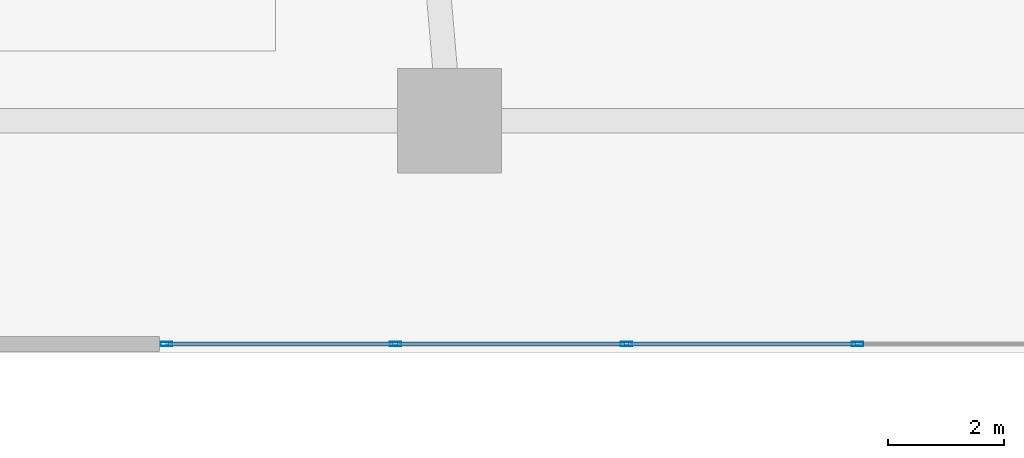
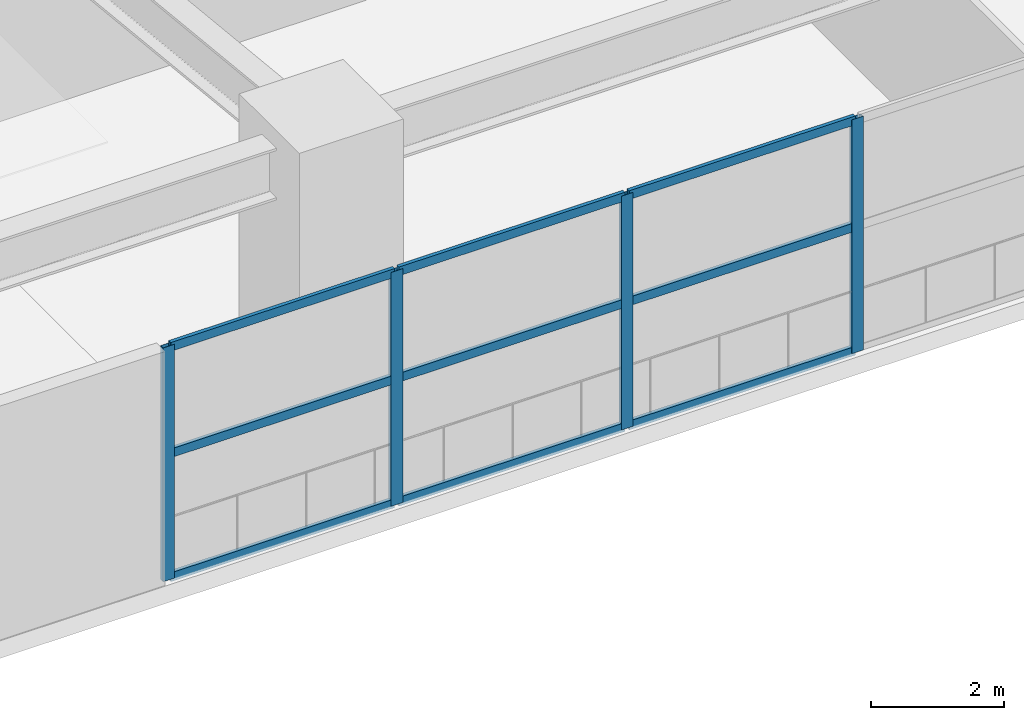
# One storey, part 2 of 25: 13 members, 1 element without a shape of its own.
"""IFC4 building model written with IfcOpenShell, lengths in metres."""

from ifc_helpers import new_model, si_unit, direction, frame, origin, origin_2d, place, context, subcontext, project, spatial, hollow_rectangle, extrude, material, layer, layer_set, material_profile, profile_set, type_object, element, aggregate, save


model = new_model("IFC4")

# Units and contexts
model_context = context("Model", 3, precision=1e-05, world=origin(), true_north=direction((0.0, 1.0)))
body_context = subcontext(model_context, "Body", "Model", "MODEL_VIEW")
ifc_project = project(units=[si_unit("LENGTHUNIT", "METRE"), si_unit("AREAUNIT", "SQUARE_METRE"), si_unit("VOLUMEUNIT", "CUBIC_METRE"), si_unit("PLANEANGLEUNIT", "RADIAN"), si_unit("MASSUNIT", "GRAM", prefix="KILO")], contexts=[model_context])

# Site, building, storey
site_placement = place(None, origin())
site = spatial("IfcSite", under=ifc_project, at=site_placement, CompositionType="ELEMENT")
building_placement = place(site_placement, origin())
building = spatial("IfcBuilding", under=site, at=building_placement, Name="Solvane Sanctuary Tower", CompositionType="ELEMENT")
storey_placement = place(building_placement, frame((0.0, 0.0, 4.60009765625)))
storey = spatial("IfcBuildingStorey", under=building, at=storey_placement, Name="L02", CompositionType="ELEMENT", Elevation=4.60009765625)

# Curtain wall, members
ifc_material = material(Name="Anodised Aluminium 6063-T6", Category="aluminium")
ifc_layer = layer(ifc_material, 0.159912109375, Name="Anodised Aluminium 6063-T6")
ifc_layer_set = layer_set([ifc_layer], Name="Anodised Aluminium 6063-T6")
curtain_wall_type = type_object("IfcCurtainWallType", Name="Curtain Wall CW-POD", PredefinedType="NOTDEFINED", material=ifc_layer_set)
curtain_wall_placement = place(storey_placement, origin())
curtain_wall = element("IfcCurtainWall", 1, at=curtain_wall_placement, inside=storey, type_object=curtain_wall_type, Name="L02 Sanctuary Curtain Wall S2", PredefinedType="NOTDEFINED")
ifc_material_profile_1 = material_profile(ifc_material, hollow_rectangle(XDim=0.074951171875, YDim=0.199951171875, WallThickness=0.00390625, at=origin_2d()), Name="ALU200X75X4")
ifc_profile_set_1 = profile_set([ifc_material_profile_1], Name="Anodised Aluminium 6063-T6")
member_type_1 = type_object("IfcMemberType", Name="Member M-CW-MUL-1 ALU200X75X4", PredefinedType="MULLION", material=ifc_profile_set_1)
member_1_placement = place(storey_placement, frame((20.117431640625, 0.14990234375, 0.0), z_axis=(0.0, 0.0, 1.0), x_axis=(0.0, 1.0, 0.0)))
member_1 = element("IfcMember", 2, at=member_1_placement, type_object=member_type_1, Name="CW-POD mullion 1", PredefinedType="MULLION", context=body_context, shape_type="SweptSolid", body=[
    extrude(hollow_rectangle(XDim=0.074951171875, YDim=0.199951171875, WallThickness=0.00390625, at=origin_2d()), origin(), (0.0, 0.0, 1.0), 4.27978515625),
])
member_2_placement = place(storey_placement, frame((24.066650390625, 0.14990234375, 0.0), z_axis=(0.0, 0.0, 1.0), x_axis=(0.0, 1.0, 0.0)))
member_2 = element("IfcMember", 3, at=member_2_placement, type_object=member_type_1, Name="CW-POD mullion 2", PredefinedType="MULLION", context=body_context, shape_type="SweptSolid", body=[
    extrude(hollow_rectangle(XDim=0.074951171875, YDim=0.199951171875, WallThickness=0.00390625, at=origin_2d()), origin(), (0.0, 0.0, 1.0), 4.27978515625),
])
member_3_placement = place(storey_placement, frame((28.05322265625, 0.14990234375, 0.0), z_axis=(0.0, 0.0, 1.0), x_axis=(0.0, 1.0, 0.0)))
member_3 = element("IfcMember", 4, at=member_3_placement, type_object=member_type_1, Name="CW-POD mullion 3", PredefinedType="MULLION", context=body_context, shape_type="SweptSolid", body=[
    extrude(hollow_rectangle(XDim=0.074951171875, YDim=0.199951171875, WallThickness=0.00390625, at=origin_2d()), origin(), (0.0, 0.0, 1.0), 4.27978515625),
])
member_4_placement = place(storey_placement, frame((32.0400390625, 0.14990234375, 0.0), z_axis=(0.0, 0.0, 1.0), x_axis=(0.0, 1.0, 0.0)))
member_4 = element("IfcMember", 5, at=member_4_placement, type_object=member_type_1, Name="CW-POD mullion 4", PredefinedType="MULLION", context=body_context, shape_type="SweptSolid", body=[
    extrude(hollow_rectangle(XDim=0.074951171875, YDim=0.199951171875, WallThickness=0.00390625, at=origin_2d()), origin(), (0.0, 0.0, 1.0), 4.27978515625),
])
ifc_material_profile_2 = material_profile(ifc_material, hollow_rectangle(XDim=0.06494140625, YDim=0.159912109375, WallThickness=0.00341796875, at=origin_2d()), Name="ALU160X65X3.5")
ifc_profile_set_2 = profile_set([ifc_material_profile_2], Name="Anodised Aluminium 6063-T6")
member_type_2 = type_object("IfcMemberType", Name="Member M-CW-TRN-1 ALU160X65X3.5", PredefinedType="USERDEFINED", material=ifc_profile_set_2)
member_5_placement = place(storey_placement, frame((20.155029296875, 0.14990234375, 0.032470703125), z_axis=(1.0, 0.0, 0.0), x_axis=(0.0, 1.0, 0.0)))
member_5 = element("IfcMember", 6, at=member_5_placement, type_object=member_type_2, Name="CW-POD transom 1.1", ObjectType="TRANSOM", PredefinedType="USERDEFINED", context=body_context, shape_type="SweptSolid", body=[
    extrude(hollow_rectangle(XDim=0.06494140625, YDim=0.159912109375, WallThickness=0.00341796875, at=origin_2d()), origin(), (0.0, 0.0, 1.0), 3.8740234375),
])
member_6_placement = place(storey_placement, frame((20.155029296875, 0.14990234375, 2.2998046875), z_axis=(1.0, 0.0, 0.0), x_axis=(0.0, 1.0, 0.0)))
member_6 = element("IfcMember", 7, at=member_6_placement, type_object=member_type_2, Name="CW-POD transom 1.2", ObjectType="TRANSOM", PredefinedType="USERDEFINED", context=body_context, shape_type="SweptSolid", body=[
    extrude(hollow_rectangle(XDim=0.06494140625, YDim=0.159912109375, WallThickness=0.00341796875, at=origin_2d()), origin(), (0.0, 0.0, 1.0), 3.8740234375),
])
member_7_placement = place(storey_placement, frame((20.155029296875, 0.14990234375, 4.247314453125), z_axis=(1.0, 0.0, 0.0), x_axis=(0.0, 1.0, 0.0)))
member_7 = element("IfcMember", 8, at=member_7_placement, type_object=member_type_2, Name="CW-POD transom 1.3", ObjectType="TRANSOM", PredefinedType="USERDEFINED", context=body_context, shape_type="SweptSolid", body=[
    extrude(hollow_rectangle(XDim=0.06494140625, YDim=0.159912109375, WallThickness=0.00341796875, at=origin_2d()), origin(), (0.0, 0.0, 1.0), 3.8740234375),
])
member_8_placement = place(storey_placement, frame((24.104248046875, 0.14990234375, 0.032470703125), z_axis=(1.0, 0.0, 0.0), x_axis=(0.0, 1.0, 0.0)))
member_8 = element("IfcMember", 9, at=member_8_placement, type_object=member_type_2, Name="CW-POD transom 2.1", ObjectType="TRANSOM", PredefinedType="USERDEFINED", context=body_context, shape_type="SweptSolid", body=[
    extrude(hollow_rectangle(XDim=0.06494140625, YDim=0.159912109375, WallThickness=0.00341796875, at=origin_2d()), origin(), (0.0, 0.0, 1.0), 3.91162109375),
])
member_9_placement = place(storey_placement, frame((24.104248046875, 0.14990234375, 2.2998046875), z_axis=(1.0, 0.0, 0.0), x_axis=(0.0, 1.0, 0.0)))
member_9 = element("IfcMember", 10, at=member_9_placement, type_object=member_type_2, Name="CW-POD transom 2.2", ObjectType="TRANSOM", PredefinedType="USERDEFINED", context=body_context, shape_type="SweptSolid", body=[
    extrude(hollow_rectangle(XDim=0.06494140625, YDim=0.159912109375, WallThickness=0.00341796875, at=origin_2d()), origin(), (0.0, 0.0, 1.0), 3.91162109375),
])
member_10_placement = place(storey_placement, frame((24.104248046875, 0.14990234375, 4.247314453125), z_axis=(1.0, 0.0, 0.0), x_axis=(0.0, 1.0, 0.0)))
member_10 = element("IfcMember", 11, at=member_10_placement, type_object=member_type_2, Name="CW-POD transom 2.3", ObjectType="TRANSOM", PredefinedType="USERDEFINED", context=body_context, shape_type="SweptSolid", body=[
    extrude(hollow_rectangle(XDim=0.06494140625, YDim=0.159912109375, WallThickness=0.00341796875, at=origin_2d()), origin(), (0.0, 0.0, 1.0), 3.91162109375),
])
member_11_placement = place(storey_placement, frame((28.0908203125, 0.14990234375, 0.032470703125), z_axis=(1.0, 0.0, 0.0), x_axis=(0.0, 1.0, 0.0)))
member_11 = element("IfcMember", 12, at=member_11_placement, type_object=member_type_2, Name="CW-POD transom 3.1", ObjectType="TRANSOM", PredefinedType="USERDEFINED", context=body_context, shape_type="SweptSolid", body=[
    extrude(hollow_rectangle(XDim=0.06494140625, YDim=0.159912109375, WallThickness=0.00341796875, at=origin_2d()), origin(), (0.0, 0.0, 1.0), 3.91162109375),
])
member_12_placement = place(storey_placement, frame((28.0908203125, 0.14990234375, 2.2998046875), z_axis=(1.0, 0.0, 0.0), x_axis=(0.0, 1.0, 0.0)))
member_12 = element("IfcMember", 13, at=member_12_placement, type_object=member_type_2, Name="CW-POD transom 3.2", ObjectType="TRANSOM", PredefinedType="USERDEFINED", context=body_context, shape_type="SweptSolid", body=[
    extrude(hollow_rectangle(XDim=0.06494140625, YDim=0.159912109375, WallThickness=0.00341796875, at=origin_2d()), origin(), (0.0, 0.0, 1.0), 3.91162109375),
])
member_13_placement = place(storey_placement, frame((28.0908203125, 0.14990234375, 4.247314453125), z_axis=(1.0, 0.0, 0.0), x_axis=(0.0, 1.0, 0.0)))
member_13 = element("IfcMember", 14, at=member_13_placement, type_object=member_type_2, Name="CW-POD transom 3.3", ObjectType="TRANSOM", PredefinedType="USERDEFINED", context=body_context, shape_type="SweptSolid", body=[
    extrude(hollow_rectangle(XDim=0.06494140625, YDim=0.159912109375, WallThickness=0.00341796875, at=origin_2d()), origin(), (0.0, 0.0, 1.0), 3.91162109375),
])
aggregate(curtain_wall, [member_1, member_2, member_3, member_4, member_5, member_6, member_7, member_8, member_9, member_10, member_11, member_12, member_13])

save(model, "model.ifc")
